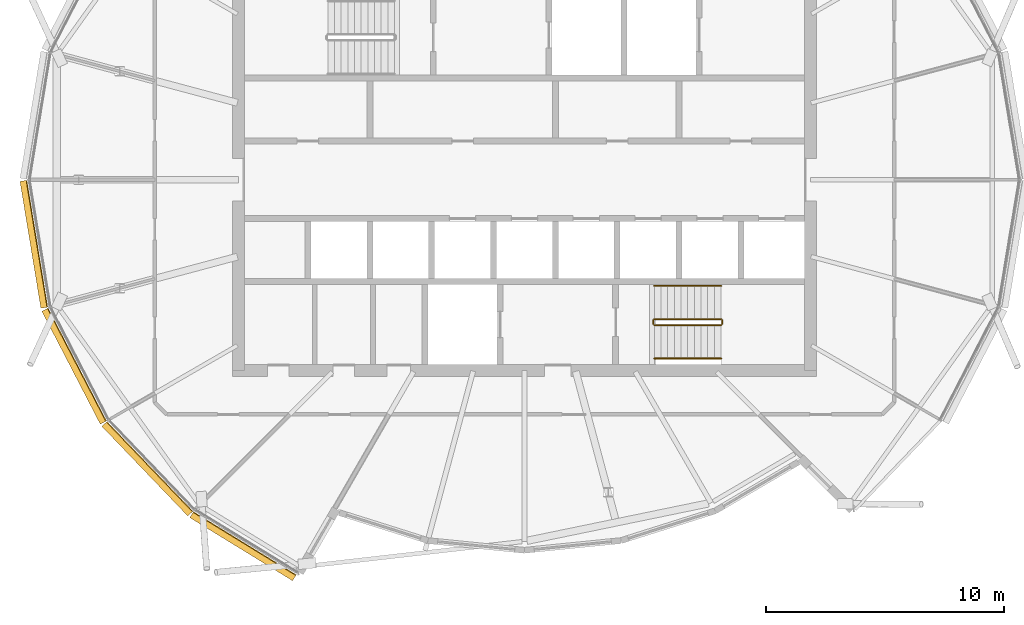
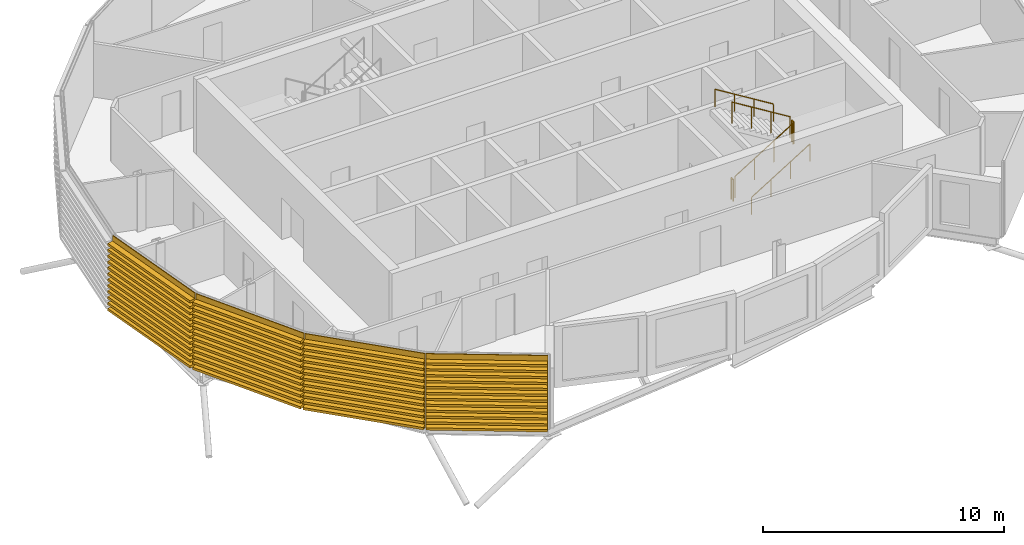
# One storey, part 31 of 35: 6 railings, 4 coverings.
"""IFC4 building model written with IfcOpenShell, lengths in metres."""

from ifc_helpers import new_model, si_unit, direction, frame, origin, origin_2d, place, context, subcontext, project, spatial, polyline, circle, outline, extrude, material, material_profile, profile_set, type_object, element, save


model = new_model("IFC4")

# Units and contexts
model_context = context("Model", 3, precision=1e-05, world=origin(), true_north=direction((0.0, 1.0)))
body_context = subcontext(model_context, "Body", "Model", "MODEL_VIEW")
ifc_project = project(units=[si_unit("LENGTHUNIT", "METRE"), si_unit("AREAUNIT", "SQUARE_METRE"), si_unit("VOLUMEUNIT", "CUBIC_METRE"), si_unit("PLANEANGLEUNIT", "RADIAN"), si_unit("MASSUNIT", "GRAM", prefix="KILO")], contexts=[model_context])

# Site, building, storey
site_placement = place(None, origin())
site = spatial("IfcSite", under=ifc_project, at=site_placement, CompositionType="ELEMENT")
building_placement = place(site_placement, origin())
building = spatial("IfcBuilding", under=site, at=building_placement, Name="Rimbun Link Towers", CompositionType="ELEMENT")
storey_placement = place(building_placement, frame((0.0, 0.0, 229.5)))
storey = spatial("IfcBuildingStorey", under=building, at=storey_placement, Name="L56", CompositionType="ELEMENT", Elevation=229.5)

# Railings
ifc_material_1 = material(Name="Stainless steel grade 316", Category="steel")
railing_type_1 = type_object("IfcRailingType", Name="Stair guard", PredefinedType="GUARDRAIL", material=ifc_material_1)
railing_1_placement = place(storey_placement, frame((-26.300048828125, -6.10009765625, 0.172607421875)))
element("IfcRailing", 1, at=railing_1_placement, inside=storey, type_object=railing_type_1, Name="L56 ST2 stair guard 1", PredefinedType="GUARDRAIL", context=body_context, shape_type="SweptSolid", body=[
    extrude(circle(Radius=0.02392578125, at=origin_2d()), frame((0.0, 0.0, 1.076171875), z_axis=(0.851089632645, 0.0, 0.525020415988), x_axis=(0.0, 1.0, 0.0)), (0.0, 0.0, 1.0), 3.2900390625),
    extrude(circle(Radius=0.02099609375, at=origin_2d()), origin(), (0.0, 0.0, 1.0), 1.052001953125),
    extrude(circle(Radius=0.02099609375, at=origin_2d()), frame((0.933349609375, 0.0, 0.57568359375)), (0.0, 0.0, 1.0), 1.052001953125),
    extrude(circle(Radius=0.02099609375, at=origin_2d()), frame((1.86669921875, 0.0, 1.151611328125)), (0.0, 0.0, 1.0), 1.052001953125),
    extrude(circle(Radius=0.02099609375, at=origin_2d()), frame((2.800048828125, 0.0, 1.727294921875)), (0.0, 0.0, 1.0), 1.052001953125),
])
railing_2_placement = place(storey_placement, frame((-23.449951171875, -6.050048828125, 1.89990234375)))
element("IfcRailing", 2, at=railing_2_placement, inside=storey, type_object=railing_type_1, Name="L56 ST2 stair guard 2", PredefinedType="GUARDRAIL", context=body_context, shape_type="SweptSolid", body=[
    extrude(circle(Radius=0.02392578125, at=origin_2d()), frame((0.0, 0.0, 1.076171875), z_axis=(0.0, 1.0, 0.0), x_axis=(-1.0, 0.0, 0.0)), (0.0, 0.0, 1.0), 0.150146484375),
    extrude(circle(Radius=0.02099609375, at=origin_2d()), origin(), (0.0, 0.0, 1.0), 1.052001953125),
    extrude(circle(Radius=0.02099609375, at=origin_2d()), frame((0.0, 0.150146484375, 0.0)), (0.0, 0.0, 1.0), 1.052001953125),
])
railing_3_placement = place(storey_placement, frame((-23.5, -5.85009765625, 2.07275390625)))
element("IfcRailing", 3, at=railing_3_placement, inside=storey, type_object=railing_type_1, Name="L56 ST2 stair guard 3", PredefinedType="GUARDRAIL", context=body_context, shape_type="SweptSolid", body=[
    extrude(circle(Radius=0.02392578125, at=origin_2d()), frame((0.0, 0.0, 1.076171875), z_axis=(-0.851089632645, 0.0, 0.525020415988), x_axis=(0.0, -1.0, 0.0)), (0.0, 0.0, 1.0), 3.2900390625),
    extrude(circle(Radius=0.02099609375, at=origin_2d()), origin(), (0.0, 0.0, 1.0), 1.052001953125),
    extrude(circle(Radius=0.02099609375, at=origin_2d()), frame((-0.933349609375, 0.0, 0.57568359375)), (0.0, 0.0, 1.0), 1.052001953125),
    extrude(circle(Radius=0.02099609375, at=origin_2d()), frame((-1.86669921875, 0.0, 1.151611328125)), (0.0, 0.0, 1.0), 1.052001953125),
    extrude(circle(Radius=0.02099609375, at=origin_2d()), frame((-2.800048828125, 0.0, 1.727294921875)), (0.0, 0.0, 1.0), 1.052001953125),
])
railing_4_placement = place(storey_placement, frame((-26.35009765625, -6.050048828125, 0.0)))
element("IfcRailing", 4, at=railing_4_placement, inside=storey, type_object=railing_type_1, Name="L56 ST2 stair guard 4", PredefinedType="GUARDRAIL", context=body_context, shape_type="SweptSolid", body=[
    extrude(circle(Radius=0.02392578125, at=origin_2d()), frame((0.0, 0.0, 1.076171875), z_axis=(0.0, 1.0, 0.0), x_axis=(-1.0, 0.0, 0.0)), (0.0, 0.0, 1.0), 0.150146484375),
    extrude(circle(Radius=0.02099609375, at=origin_2d()), origin(), (0.0, 0.0, 1.0), 1.052001953125),
    extrude(circle(Radius=0.02099609375, at=origin_2d()), frame((0.0, 0.150146484375, 0.0)), (0.0, 0.0, 1.0), 1.052001953125),
])
ifc_material_2 = material(Name="Stainless steel grade 316", Category="steel")
railing_type_2 = type_object("IfcRailingType", Name="Stair handrail", PredefinedType="HANDRAIL", material=ifc_material_2)
railing_5_placement = place(storey_placement, frame((-26.300048828125, -7.5, 0.172607421875)))
element("IfcRailing", 5, at=railing_5_placement, inside=storey, type_object=railing_type_2, Name="L56 ST2 stair handrail 1", PredefinedType="HANDRAIL", context=body_context, shape_type="SweptSolid", body=[
    extrude(circle(Radius=0.02392578125, at=origin_2d()), frame((0.0, 0.0, 0.8759765625), z_axis=(0.851089632645, 0.0, 0.525020415988), x_axis=(0.0, 1.0, 0.0)), (0.0, 0.0, 1.0), 3.2900390625),
    extrude(circle(Radius=0.02099609375, at=origin_2d()), origin(), (0.0, 0.0, 1.0), 0.851806640625),
    extrude(circle(Radius=0.02099609375, at=origin_2d()), frame((0.933349609375, 0.0, 0.57568359375)), (0.0, 0.0, 1.0), 0.851806640625),
    extrude(circle(Radius=0.02099609375, at=origin_2d()), frame((1.86669921875, 0.0, 1.151611328125)), (0.0, 0.0, 1.0), 0.851806640625),
    extrude(circle(Radius=0.02099609375, at=origin_2d()), frame((2.800048828125, 0.0, 1.727294921875)), (0.0, 0.0, 1.0), 0.851806640625),
])
railing_6_placement = place(storey_placement, frame((-23.5, -4.449951171875, 2.07275390625)))
element("IfcRailing", 6, at=railing_6_placement, inside=storey, type_object=railing_type_2, Name="L56 ST2 stair handrail 2", PredefinedType="HANDRAIL", context=body_context, shape_type="SweptSolid", body=[
    extrude(circle(Radius=0.02392578125, at=origin_2d()), frame((0.0, 0.0, 0.8759765625), z_axis=(-0.851089632645, 0.0, 0.525020415988), x_axis=(0.0, -1.0, 0.0)), (0.0, 0.0, 1.0), 3.2900390625),
    extrude(circle(Radius=0.02099609375, at=origin_2d()), origin(), (0.0, 0.0, 1.0), 0.851806640625),
    extrude(circle(Radius=0.02099609375, at=origin_2d()), frame((-0.933349609375, 0.0, 0.57568359375)), (0.0, 0.0, 1.0), 0.851806640625),
    extrude(circle(Radius=0.02099609375, at=origin_2d()), frame((-1.86669921875, 0.0, 1.151611328125)), (0.0, 0.0, 1.0), 0.851806640625),
    extrude(circle(Radius=0.02099609375, at=origin_2d()), frame((-2.800048828125, 0.0, 1.727294921875)), (0.0, 0.0, 1.0), 0.851806640625),
])

# Coverings
ifc_material_3 = material(Name="Terracotta", Category="masonry")
ifc_material_profile = material_profile(ifc_material_3, outline(polyline([(0.123046875, 0.0), (0.1630859375, 0.0), (0.1630859375, 0.10009765625), (0.423095703125, 0.10009765625), (0.423095703125, 0.219970703125), (0.1630859375, 0.219970703125), (0.1630859375, 0.39990234375), (0.423095703125, 0.39990234375), (0.423095703125, 0.52001953125), (0.1630859375, 0.52001953125), (0.1630859375, 0.699951171875), (0.423095703125, 0.699951171875), (0.423095703125, 0.820068359375), (0.1630859375, 0.820068359375), (0.1630859375, 1.0), (0.423095703125, 1.0), (0.423095703125, 1.1201171875), (0.1630859375, 1.1201171875), (0.1630859375, 1.300048828125), (0.423095703125, 1.300048828125), (0.423095703125, 1.419921875), (0.1630859375, 1.419921875), (0.1630859375, 1.60009765625), (0.423095703125, 1.60009765625), (0.423095703125, 1.719970703125), (0.1630859375, 1.719970703125), (0.1630859375, 1.89990234375), (0.423095703125, 1.89990234375), (0.423095703125, 2.02001953125), (0.1630859375, 2.02001953125), (0.1630859375, 2.199951171875), (0.423095703125, 2.199951171875), (0.423095703125, 2.320068359375), (0.1630859375, 2.320068359375), (0.1630859375, 2.5), (0.423095703125, 2.5), (0.423095703125, 2.6201171875), (0.1630859375, 2.6201171875), (0.1630859375, 2.800048828125), (0.423095703125, 2.800048828125), (0.423095703125, 2.919921875), (0.1630859375, 2.919921875), (0.1630859375, 3.10009765625), (0.423095703125, 3.10009765625), (0.423095703125, 3.219970703125), (0.1630859375, 3.219970703125), (0.1630859375, 3.39990234375), (0.423095703125, 3.39990234375), (0.423095703125, 3.52001953125), (0.1630859375, 3.52001953125), (0.1630859375, 3.800048828125), (0.123046875, 3.800048828125), (0.123046875, 0.0)])), Name="BAGUETTE 120X300")
ifc_profile_set = profile_set([ifc_material_profile], Name="Terracotta")
covering_type = type_object("IfcCoveringType", Name="TERRACOTTA BAGUETTE 120X300 H3800", PredefinedType="CLADDING", material=ifc_profile_set)
covering_1_placement = place(storey_placement, frame((-51.6171875, -5.323486328125, 0.0), z_axis=(-0.162277824196, 0.986745107804, 0.0), x_axis=(-0.986745107804, -0.162277824196, 0.0)))
element("IfcCovering", 7, at=covering_1_placement, inside=storey, type_object=covering_type, Name="TERRACOTTA BAGUETTE", PredefinedType="CLADDING", context=body_context, shape_type="SweptSolid", body=[
    extrude(outline(polyline([(0.123046875, 0.0), (0.1630859375, 0.0), (0.1630859375, 0.10009765625), (0.423095703125, 0.10009765625), (0.423095703125, 0.219970703125), (0.1630859375, 0.219970703125), (0.1630859375, 0.39990234375), (0.423095703125, 0.39990234375), (0.423095703125, 0.52001953125), (0.1630859375, 0.52001953125), (0.1630859375, 0.699951171875), (0.423095703125, 0.699951171875), (0.423095703125, 0.820068359375), (0.1630859375, 0.820068359375), (0.1630859375, 1.0), (0.423095703125, 1.0), (0.423095703125, 1.1201171875), (0.1630859375, 1.1201171875), (0.1630859375, 1.300048828125), (0.423095703125, 1.300048828125), (0.423095703125, 1.419921875), (0.1630859375, 1.419921875), (0.1630859375, 1.60009765625), (0.423095703125, 1.60009765625), (0.423095703125, 1.719970703125), (0.1630859375, 1.719970703125), (0.1630859375, 1.89990234375), (0.423095703125, 1.89990234375), (0.423095703125, 2.02001953125), (0.1630859375, 2.02001953125), (0.1630859375, 2.199951171875), (0.423095703125, 2.199951171875), (0.423095703125, 2.320068359375), (0.1630859375, 2.320068359375), (0.1630859375, 2.5), (0.423095703125, 2.5), (0.423095703125, 2.6201171875), (0.1630859375, 2.6201171875), (0.1630859375, 2.800048828125), (0.423095703125, 2.800048828125), (0.423095703125, 2.919921875), (0.1630859375, 2.919921875), (0.1630859375, 3.10009765625), (0.423095703125, 3.10009765625), (0.423095703125, 3.219970703125), (0.1630859375, 3.219970703125), (0.1630859375, 3.39990234375), (0.423095703125, 3.39990234375), (0.423095703125, 3.52001953125), (0.1630859375, 3.52001953125), (0.1630859375, 3.800048828125), (0.123046875, 3.800048828125), (0.123046875, 0.0)])), origin(), (0.0, 0.0, 1.0), 5.39501953125),
])
covering_2_placement = place(storey_placement, frame((-49.168212890625, -10.056396484375, 0.0), z_axis=(-0.459558764899, 0.888147364802, 0.0), x_axis=(-0.888147364802, -0.459558764899, 0.0)))
element("IfcCovering", 8, at=covering_2_placement, inside=storey, type_object=covering_type, Name="TERRACOTTA BAGUETTE", PredefinedType="CLADDING", context=body_context, shape_type="SweptSolid", body=[
    extrude(outline(polyline([(0.123046875, 0.0), (0.1630859375, 0.0), (0.1630859375, 0.10009765625), (0.423095703125, 0.10009765625), (0.423095703125, 0.219970703125), (0.1630859375, 0.219970703125), (0.1630859375, 0.39990234375), (0.423095703125, 0.39990234375), (0.423095703125, 0.52001953125), (0.1630859375, 0.52001953125), (0.1630859375, 0.699951171875), (0.423095703125, 0.699951171875), (0.423095703125, 0.820068359375), (0.1630859375, 0.820068359375), (0.1630859375, 1.0), (0.423095703125, 1.0), (0.423095703125, 1.1201171875), (0.1630859375, 1.1201171875), (0.1630859375, 1.300048828125), (0.423095703125, 1.300048828125), (0.423095703125, 1.419921875), (0.1630859375, 1.419921875), (0.1630859375, 1.60009765625), (0.423095703125, 1.60009765625), (0.423095703125, 1.719970703125), (0.1630859375, 1.719970703125), (0.1630859375, 1.89990234375), (0.423095703125, 1.89990234375), (0.423095703125, 2.02001953125), (0.1630859375, 2.02001953125), (0.1630859375, 2.199951171875), (0.423095703125, 2.199951171875), (0.423095703125, 2.320068359375), (0.1630859375, 2.320068359375), (0.1630859375, 2.5), (0.423095703125, 2.5), (0.423095703125, 2.6201171875), (0.1630859375, 2.6201171875), (0.1630859375, 2.800048828125), (0.423095703125, 2.800048828125), (0.423095703125, 2.919921875), (0.1630859375, 2.919921875), (0.1630859375, 3.10009765625), (0.423095703125, 3.10009765625), (0.423095703125, 3.219970703125), (0.1630859375, 3.219970703125), (0.1630859375, 3.39990234375), (0.423095703125, 3.39990234375), (0.423095703125, 3.52001953125), (0.1630859375, 3.52001953125), (0.1630859375, 3.800048828125), (0.123046875, 3.800048828125), (0.123046875, 0.0)])), origin(), (0.0, 0.0, 1.0), 5.328857421875),
])
covering_3_placement = place(storey_placement, frame((-45.56494140625, -13.81494140625, 0.0), z_axis=(-0.692038763071, 0.72186033996, 0.0), x_axis=(-0.72186033996, -0.692038763071, 0.0)))
element("IfcCovering", 9, at=covering_3_placement, inside=storey, type_object=covering_type, Name="TERRACOTTA BAGUETTE", PredefinedType="CLADDING", context=body_context, shape_type="SweptSolid", body=[
    extrude(outline(polyline([(0.123046875, 0.0), (0.1630859375, 0.0), (0.1630859375, 0.10009765625), (0.423095703125, 0.10009765625), (0.423095703125, 0.219970703125), (0.1630859375, 0.219970703125), (0.1630859375, 0.39990234375), (0.423095703125, 0.39990234375), (0.423095703125, 0.52001953125), (0.1630859375, 0.52001953125), (0.1630859375, 0.699951171875), (0.423095703125, 0.699951171875), (0.423095703125, 0.820068359375), (0.1630859375, 0.820068359375), (0.1630859375, 1.0), (0.423095703125, 1.0), (0.423095703125, 1.1201171875), (0.1630859375, 1.1201171875), (0.1630859375, 1.300048828125), (0.423095703125, 1.300048828125), (0.423095703125, 1.419921875), (0.1630859375, 1.419921875), (0.1630859375, 1.60009765625), (0.423095703125, 1.60009765625), (0.423095703125, 1.719970703125), (0.1630859375, 1.719970703125), (0.1630859375, 1.89990234375), (0.423095703125, 1.89990234375), (0.423095703125, 2.02001953125), (0.1630859375, 2.02001953125), (0.1630859375, 2.199951171875), (0.423095703125, 2.199951171875), (0.423095703125, 2.320068359375), (0.1630859375, 2.320068359375), (0.1630859375, 2.5), (0.423095703125, 2.5), (0.423095703125, 2.6201171875), (0.1630859375, 2.6201171875), (0.1630859375, 2.800048828125), (0.423095703125, 2.800048828125), (0.423095703125, 2.919921875), (0.1630859375, 2.919921875), (0.1630859375, 3.10009765625), (0.423095703125, 3.10009765625), (0.423095703125, 3.219970703125), (0.1630859375, 3.219970703125), (0.1630859375, 3.39990234375), (0.423095703125, 3.39990234375), (0.423095703125, 3.52001953125), (0.1630859375, 3.52001953125), (0.1630859375, 3.800048828125), (0.123046875, 3.800048828125), (0.123046875, 0.0)])), origin(), (0.0, 0.0, 1.0), 5.206787109375),
])
covering_4_placement = place(storey_placement, frame((-41.254150390625, -16.4619140625, 0.0), z_axis=(-0.852171603276, 0.523262418458, 0.0), x_axis=(-0.523262418458, -0.852171603276, 0.0)))
element("IfcCovering", 10, at=covering_4_placement, inside=storey, type_object=covering_type, Name="TERRACOTTA BAGUETTE", PredefinedType="CLADDING", context=body_context, shape_type="SweptSolid", body=[
    extrude(outline(polyline([(0.123046875, 0.0), (0.1630859375, 0.0), (0.1630859375, 0.10009765625), (0.423095703125, 0.10009765625), (0.423095703125, 0.219970703125), (0.1630859375, 0.219970703125), (0.1630859375, 0.39990234375), (0.423095703125, 0.39990234375), (0.423095703125, 0.52001953125), (0.1630859375, 0.52001953125), (0.1630859375, 0.699951171875), (0.423095703125, 0.699951171875), (0.423095703125, 0.820068359375), (0.1630859375, 0.820068359375), (0.1630859375, 1.0), (0.423095703125, 1.0), (0.423095703125, 1.1201171875), (0.1630859375, 1.1201171875), (0.1630859375, 1.300048828125), (0.423095703125, 1.300048828125), (0.423095703125, 1.419921875), (0.1630859375, 1.419921875), (0.1630859375, 1.60009765625), (0.423095703125, 1.60009765625), (0.423095703125, 1.719970703125), (0.1630859375, 1.719970703125), (0.1630859375, 1.89990234375), (0.423095703125, 1.89990234375), (0.423095703125, 2.02001953125), (0.1630859375, 2.02001953125), (0.1630859375, 2.199951171875), (0.423095703125, 2.199951171875), (0.423095703125, 2.320068359375), (0.1630859375, 2.320068359375), (0.1630859375, 2.5), (0.423095703125, 2.5), (0.423095703125, 2.6201171875), (0.1630859375, 2.6201171875), (0.1630859375, 2.800048828125), (0.423095703125, 2.800048828125), (0.423095703125, 2.919921875), (0.1630859375, 2.919921875), (0.1630859375, 3.10009765625), (0.423095703125, 3.10009765625), (0.423095703125, 3.219970703125), (0.1630859375, 3.219970703125), (0.1630859375, 3.39990234375), (0.423095703125, 3.39990234375), (0.423095703125, 3.52001953125), (0.1630859375, 3.52001953125), (0.1630859375, 3.800048828125), (0.123046875, 3.800048828125), (0.123046875, 0.0)])), origin(), (0.0, 0.0, 1.0), 5.05859375),
])

save(model, "model.ifc")
